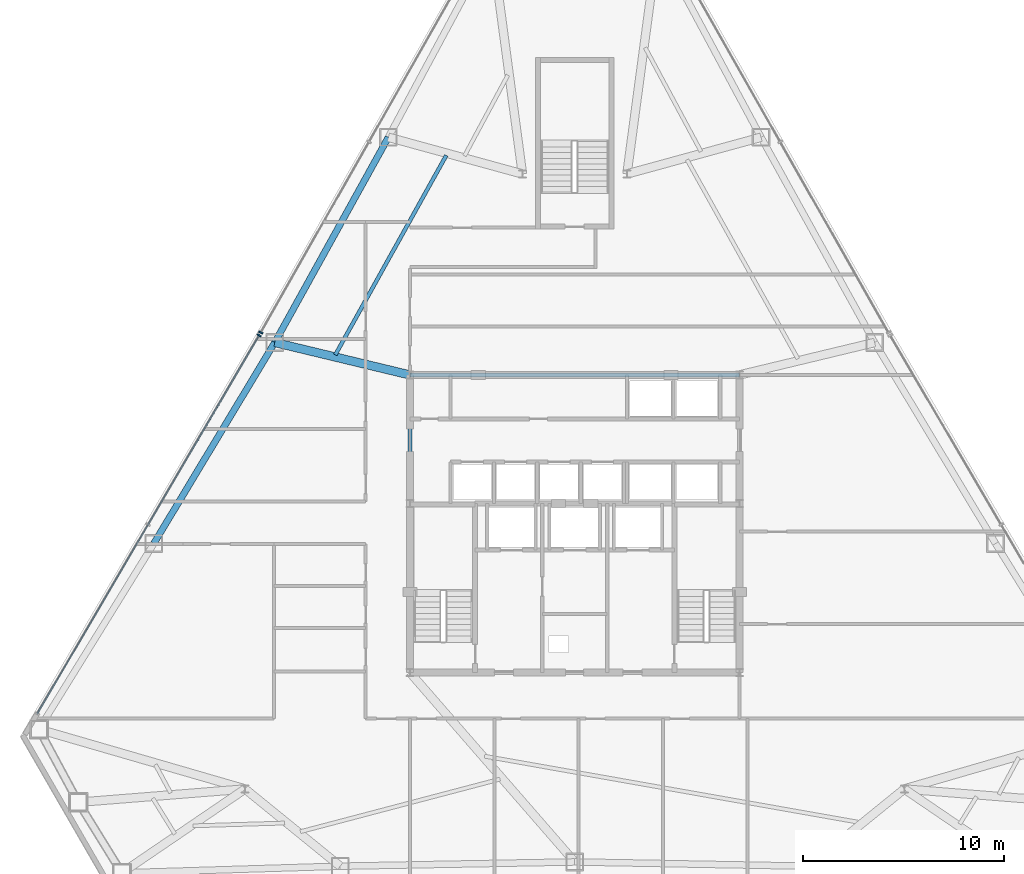
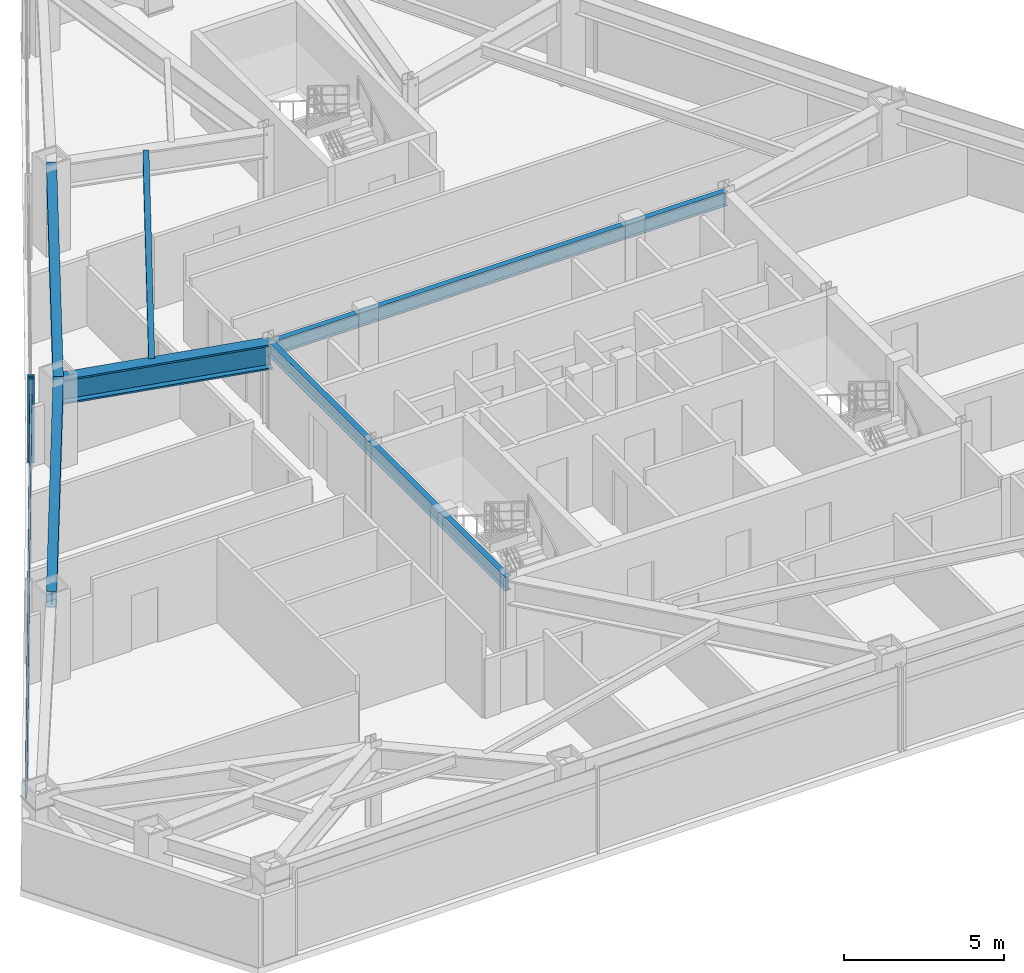
# One storey, part 5 of 12: 6 beams, 3 members, 2 elements without a shape of their own.
"""IFC4 building model written with IfcOpenShell, lengths in metres."""

from ifc_helpers import new_model, si_unit, direction, frame, origin, origin_2d, place, context, subcontext, project, spatial, rectangle, i_section, extrude, source, transform, mapped, material, layer, layer_set, material_profile, profile_set, type_object, type_shapes, element, aggregate, save


model = new_model("IFC4")

# Units and contexts
model_context = context("Model", 3, precision=1e-05, world=origin(), true_north=direction((0.0, 1.0)))
body_context = subcontext(model_context, "Body", "Model", "MODEL_VIEW")
ifc_project = project(units=[si_unit("LENGTHUNIT", "METRE"), si_unit("AREAUNIT", "SQUARE_METRE"), si_unit("VOLUMEUNIT", "CUBIC_METRE"), si_unit("PLANEANGLEUNIT", "RADIAN"), si_unit("MASSUNIT", "GRAM", prefix="KILO")], contexts=[model_context])

# Site, building, storey
site_placement = place(None, origin())
site = spatial("IfcSite", under=ifc_project, at=site_placement, CompositionType="ELEMENT")
building_placement = place(site_placement, origin())
building = spatial("IfcBuilding", under=site, at=building_placement, Name="Varakhsha Concourse Tower", CompositionType="ELEMENT")
storey_placement = place(building_placement, frame((0.0, 0.0, 129.800048828125)))
storey = spatial("IfcBuildingStorey", under=building, at=storey_placement, Name="L37", CompositionType="ELEMENT", Elevation=129.800048828125)

# Beams
ifc_material_1 = material(Name="Structural Steel ASTM A992 Grade 50", Category="steel")
ifc_material_profile_1 = material_profile(ifc_material_1, i_section(OverallWidth=0.19091796875, OverallDepth=0.45703125, WebThickness=0.009033203125, FlangeThickness=0.013916015625, at=origin_2d()), Name="W18X50")
ifc_profile_set_1 = profile_set([ifc_material_profile_1], Name="Structural Steel ASTM A992 Grade 50")
beam_type_1 = type_object("IfcBeamType", Name="BM-JST-W18X50", PredefinedType="JOIST", material=ifc_profile_set_1)
beam_1_placement = place(storey_placement, frame((33.611572265625, 42.126708984375, 2.9814453125), z_axis=(-0.486139230304, -0.873881369958, 0.0), x_axis=(0.873881369958, -0.486139230304, 0.0)))
element("IfcBeam", 1, at=beam_1_placement, inside=storey, type_object=beam_type_1, Name="BM-TJST-L37-04", PredefinedType="JOIST", context=body_context, shape_type="SweptSolid", body=[
    extrude(i_section(OverallWidth=0.19091796875, OverallDepth=0.45703125, WebThickness=0.009033203125, FlangeThickness=0.013916015625, at=origin_2d()), origin(), (0.0, 0.0, 1.0), 11.35888671875),
])
ifc_material_profile_2 = material_profile(ifc_material_1, i_section(OverallWidth=0.423095703125, OverallDepth=0.947998046875, WebThickness=0.0380859375, FlangeThickness=0.06396484375, at=origin_2d()), Name="W36X302")
ifc_profile_set_2 = profile_set([ifc_material_profile_2], Name="Structural Steel ASTM A992 Grade 50")
beam_type_2 = type_object("IfcBeamType", Name="BM-OUTR-W36X302", PredefinedType="USERDEFINED", material=ifc_profile_set_2)
beam_2_placement = place(storey_placement, frame((31.800048828125, 31.199951171875, 2.73583984375), z_axis=(-0.972326679088, 0.233625403442, 0.0), x_axis=(-0.233625403442, -0.972326679088, 0.0)))
element("IfcBeam", 2, at=beam_2_placement, inside=storey, type_object=beam_type_2, Name="L37 Radial Floor Girder 05", ObjectType="GIRDER", PredefinedType="USERDEFINED", context=body_context, shape_type="SweptSolid", body=[
    extrude(i_section(OverallWidth=0.423095703125, OverallDepth=0.947998046875, WebThickness=0.0380859375, FlangeThickness=0.06396484375, at=origin_2d()), origin(), (0.0, 0.0, 1.0), 6.912841796875),
])
ifc_material_profile_3 = material_profile(ifc_material_1, i_section(OverallWidth=0.2109375, OverallDepth=0.5390625, WebThickness=0.011962890625, FlangeThickness=0.01904296875, at=origin_2d()), Name="W21X73")
ifc_profile_set_3 = profile_set([ifc_material_profile_3], Name="Structural Steel ASTM A992 Grade 50")
beam_type_3 = type_object("IfcBeamType", Name="BM-RAD-W21X73", PredefinedType="BEAM", material=ifc_profile_set_3)
beam_3_placement = place(storey_placement, frame((31.800048828125, 31.199951171875, 2.9404296875), z_axis=(1.0, 0.0, 0.0), x_axis=(0.0, 1.0, 0.0)))
element("IfcBeam", 3, at=beam_3_placement, inside=storey, type_object=beam_type_3, Name="BM-TCORE-L37-CN", PredefinedType="BEAM", context=body_context, shape_type="SweptSolid", body=[
    extrude(i_section(OverallWidth=0.2109375, OverallDepth=0.5390625, WebThickness=0.011962890625, FlangeThickness=0.01904296875, at=origin_2d()), origin(), (0.0, 0.0, 1.0), 16.39990234375),
])
beam_4_placement = place(storey_placement, frame((31.800048828125, 16.39990234375, 2.9404296875), z_axis=(0.0, 1.0, 0.0), x_axis=(-1.0, 0.0, 0.0)))
element("IfcBeam", 4, at=beam_4_placement, inside=storey, type_object=beam_type_3, Name="BM-TCORE-L37-CW", PredefinedType="BEAM", context=body_context, shape_type="SweptSolid", body=[
    extrude(i_section(OverallWidth=0.2109375, OverallDepth=0.5390625, WebThickness=0.011962890625, FlangeThickness=0.01904296875, at=origin_2d()), origin(), (0.0, 0.0, 1.0), 14.800048828125),
])
ifc_material_profile_4 = material_profile(ifc_material_1, i_section(OverallWidth=0.323974609375, OverallDepth=0.611083984375, WebThickness=0.012939453125, FlangeThickness=0.01904296875, at=origin_2d()), Name="W24X104")
ifc_profile_set_4 = profile_set([ifc_material_profile_4], Name="Structural Steel ASTM A992 Grade 50")
beam_type_4 = type_object("IfcBeamType", Name="BM-SPAN-W24X104", PredefinedType="SPANDREL", material=ifc_profile_set_4)
beam_5_placement = place(storey_placement, frame((30.73046875, 43.0263671875, 2.904541015625), z_axis=(-0.484256982071, -0.874925811321, 0.0), x_axis=(0.874925811321, -0.484256982071, 0.0)))
element("IfcBeam", 5, at=beam_5_placement, inside=storey, type_object=beam_type_4, Name="BM-SPAN-L37-04", PredefinedType="SPANDREL", context=body_context, shape_type="SweptSolid", body=[
    extrude(i_section(OverallWidth=0.323974609375, OverallDepth=0.611083984375, WebThickness=0.012939453125, FlangeThickness=0.01904296875, at=origin_2d()), origin(), (0.0, 0.0, 1.0), 11.671142578125),
])
beam_6_placement = place(storey_placement, frame((25.07861328125, 32.81494140625, 2.904541015625), z_axis=(-0.515584301613, -0.856838857622, 0.0), x_axis=(0.856838857622, -0.515584301613, 0.0)))
element("IfcBeam", 6, at=beam_6_placement, inside=storey, type_object=beam_type_4, Name="BM-SPAN-L37-05", PredefinedType="SPANDREL", context=body_context, shape_type="SweptSolid", body=[
    extrude(i_section(OverallWidth=0.323974609375, OverallDepth=0.611083984375, WebThickness=0.012939453125, FlangeThickness=0.01904296875, at=origin_2d()), origin(), (0.0, 0.0, 1.0), 11.67138671875),
])

# Curtain wall, member
ifc_material_2 = material(Name="Anodised Bronze Architectural Aluminium AA 6063-T6", Category="aluminium")
ifc_layer = layer(ifc_material_2, 0.2099609375, Name="CW-SYS-04")
ifc_layer_set = layer_set([ifc_layer], Name="Anodised Bronze Architectural Aluminium AA 6063-T6")
curtain_wall_type = type_object("IfcCurtainWallType", Name="CW-SYS-04", PredefinedType="NOTDEFINED", material=ifc_layer_set)
curtain_wall_1_placement = place(storey_placement, origin())
curtain_wall_1 = element("IfcCurtainWall", 7, at=curtain_wall_1_placement, inside=storey, type_object=curtain_wall_type, Name="L37 Crystal Curtain Wall F2", PredefinedType="NOTDEFINED")
ifc_material_profile_5 = material_profile(ifc_material_2, rectangle(XDim=0.074951171875, YDim=0.219970703125, at=origin_2d()), Name="CWM-220X75")
ifc_profile_set_5 = profile_set([ifc_material_profile_5], Name="Anodised Bronze Architectural Aluminium AA 6063-T6")
member_type_1 = type_object("IfcMemberType", Name="CWM-220X75", PredefinedType="MULLION", material=ifc_profile_set_5)
shared_shape_1 = source(origin(), body_context, "Body", "SweptSolid", [
    extrude(rectangle(XDim=0.074951171875, YDim=0.219970703125, at=origin_2d()), origin(), (0.0, 0.0, 1.0), 3.2099609375),
])
type_shapes(member_type_1, [shared_shape_1])
member_1_placement = place(storey_placement, frame((24.380859375, 33.311279296875, 0.0), z_axis=(0.0, 0.0, 1.0), x_axis=(0.494114858069, 0.8693966339, 0.0)))
member_1 = element("IfcMember", 8, at=member_1_placement, type_object=member_type_1, Name="CW-L37-F2 Mullion 00", PredefinedType="MULLION", context=body_context, shape_type="MappedRepresentation", body=[
    mapped(shared_shape_1, transform((0.0, 0.0, 0.0), scale=1.0)),
])
aggregate(curtain_wall_1, [member_1])

# Curtain wall, members
curtain_wall_2_placement = place(storey_placement, origin())
curtain_wall_2 = element("IfcCurtainWall", 9, at=curtain_wall_2_placement, inside=storey, type_object=curtain_wall_type, Name="L37 Crystal Curtain Wall F3", PredefinedType="NOTDEFINED")
member_2_placement = place(storey_placement, frame((24.2998046875, 33.1708984375, 0.0), z_axis=(0.0, 0.0, 1.0), x_axis=(0.505862141887, 0.862614336424, 0.0)))
member_2 = element("IfcMember", 10, at=member_2_placement, type_object=member_type_1, Name="CW-L37-F3 Mullion 02", PredefinedType="MULLION", context=body_context, shape_type="MappedRepresentation", body=[
    mapped(shared_shape_1, transform((0.0, 0.0, 0.0), scale=1.0)),
])
ifc_material_profile_6 = material_profile(ifc_material_2, rectangle(XDim=0.06494140625, YDim=0.159912109375, at=origin_2d()), Name="CWT-160X65")
ifc_profile_set_6 = profile_set([ifc_material_profile_6], Name="Anodised Bronze Architectural Aluminium AA 6063-T6")
member_type_2 = type_object("IfcMemberType", Name="CWT-160X65", PredefinedType="USERDEFINED", material=ifc_profile_set_6)
shared_shape_2 = source(origin(), body_context, "Body", "SweptSolid", [
    extrude(rectangle(XDim=0.06494140625, YDim=0.159912109375, at=origin_2d()), origin(), (0.0, 0.0, 1.0), 21.827392578125),
])
type_shapes(member_type_2, [shared_shape_2])
member_3_placement = place(storey_placement, frame((13.258056640625, 14.34228515625, 2.56005859375), z_axis=(0.505865600698, 0.862612308068, 0.0), x_axis=(-0.862612308068, 0.505865600698, 0.0)))
member_3 = element("IfcMember", 11, at=member_3_placement, type_object=member_type_2, Name="CW-L37-F3 Transom 01", ObjectType="TRANSOM", PredefinedType="USERDEFINED", context=body_context, shape_type="MappedRepresentation", body=[
    mapped(shared_shape_2, transform((0.0, 0.0, 0.0), scale=1.0)),
])
aggregate(curtain_wall_2, [member_2, member_3])

save(model, "model.ifc")
